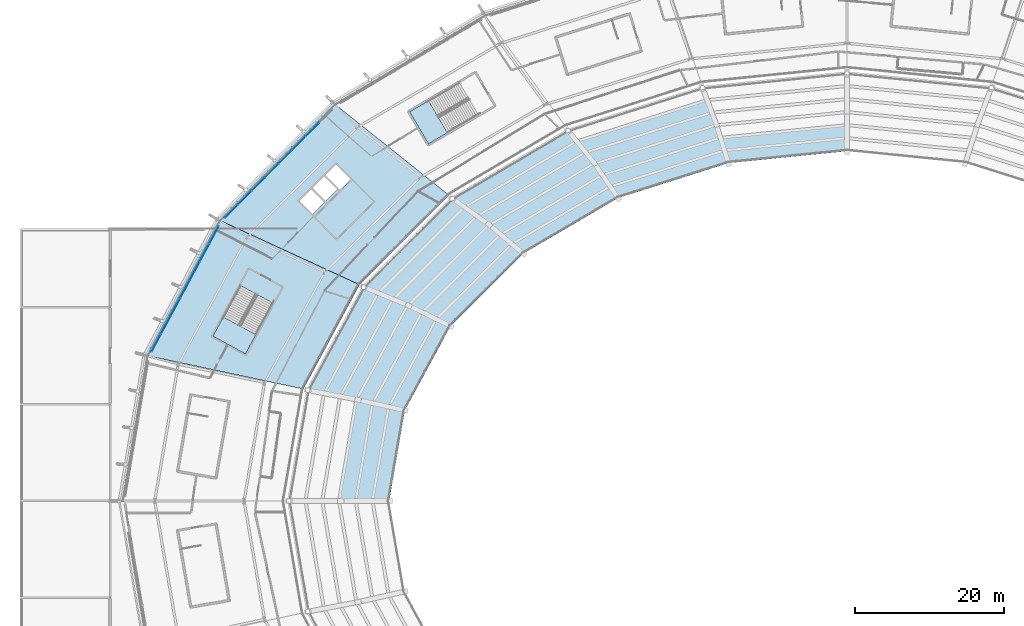
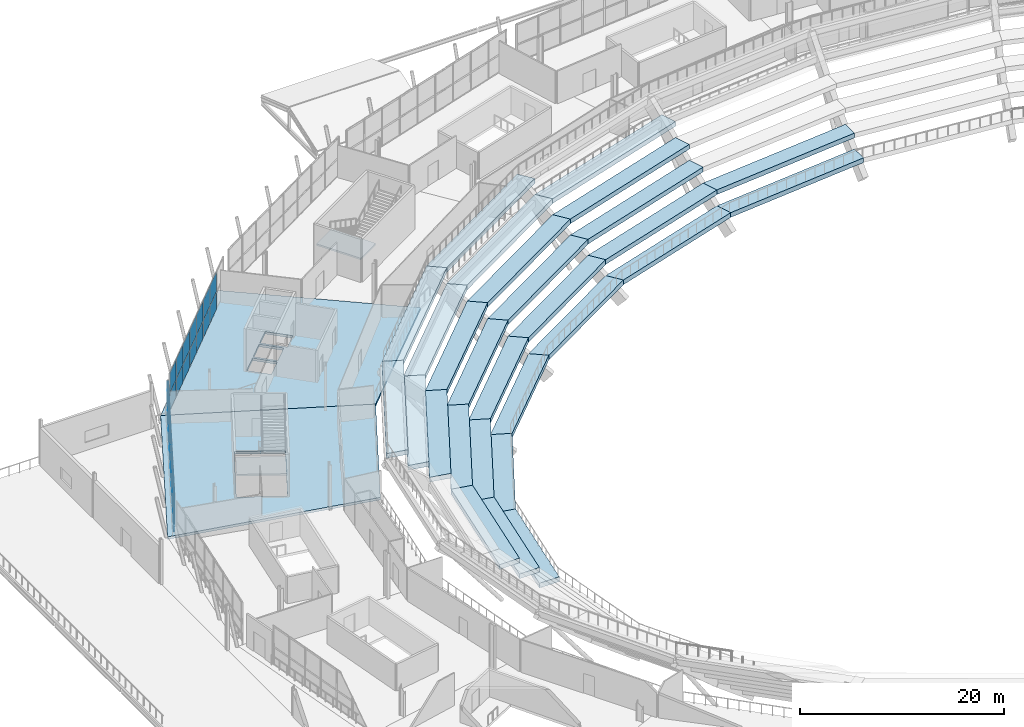
# One storey, part 65 of 126: 32 slabs, 28 plates, 4 elements without a shape of their own.
"""IFC4 building model written with IfcOpenShell, lengths in metres."""

from ifc_helpers import new_model, si_unit, direction, frame, origin, origin_2d, place, context, subcontext, project, spatial, polyline, rectangle, outline, extrude, material, layer, layer_set, type_object, element, aggregate, save


model = new_model("IFC4")

# Units and contexts
model_context = context("Model", 3, precision=1e-05, world=origin(), true_north=direction((0.0, 1.0)))
body_context = subcontext(model_context, "Body", "Model", "MODEL_VIEW")
ifc_project = project(units=[si_unit("LENGTHUNIT", "METRE"), si_unit("AREAUNIT", "SQUARE_METRE"), si_unit("VOLUMEUNIT", "CUBIC_METRE"), si_unit("PLANEANGLEUNIT", "RADIAN"), si_unit("MASSUNIT", "GRAM", prefix="KILO")], contexts=[model_context])

# Site, building, storey
site_placement = place(None, origin())
site = spatial("IfcSite", under=ifc_project, at=site_placement, CompositionType="ELEMENT")
building_placement = place(site_placement, origin())
building = spatial("IfcBuilding", under=site, at=building_placement, Name="Zlatoyarsky Gate Stadium", CompositionType="ELEMENT")
storey_placement = place(building_placement, frame((0.0, 0.0, 20.800048828125)))
storey = spatial("IfcBuildingStorey", under=building, at=storey_placement, Name="L04", CompositionType="ELEMENT", Elevation=20.800048828125)

# Slabs
ifc_material_1 = material(Name="Concrete C40/50", Category="concrete")
ifc_layer_1 = layer(ifc_material_1, 0.300048828125)
ifc_layer_set_1 = layer_set([ifc_layer_1], Name="Concrete C40/50")
slab_type_1 = type_object("IfcSlabType", Name="CONCRETE CONCOURSE SLAB 300", PredefinedType="FLOOR", material=ifc_layer_set_1)
slab_1_placement = place(storey_placement, frame((0.0, 0.0, -0.300048828125)))
element("IfcSlab", 1, at=slab_1_placement, inside=storey, type_object=slab_type_1, Name="L04 bowl sector 09 slab", PredefinedType="FLOOR", context=body_context, shape_type="SweptSolid", body=[
    extrude(outline(polyline([(45.528564453125, 109.050048828125), (26.3291015625, 117.884765625), (41.866455078125, 133.5771484375), (57.542724609375, 121.0830078125), (45.528564453125, 109.050048828125)]), holes=[polyline([(39.02490234375, 121.870849609375), (37.46533203125, 120.319091796875), (39.228759765625, 118.547119140625), (40.7880859375, 120.0986328125), (39.02490234375, 121.870849609375)]), polyline([(40.76171875, 123.598876953125), (39.2021484375, 122.047119140625), (40.965576171875, 120.27490234375), (42.52490234375, 121.82666015625), (40.76171875, 123.598876953125)]), polyline([(42.356689453125, 125.185791015625), (40.93896484375, 123.775146484375), (42.913818359375, 121.790283203125), (44.331787109375, 123.200927734375), (42.356689453125, 125.185791015625)])]), origin(), (0.0, 0.0, 1.0), 0.300048828125),
])
slab_2_placement = place(storey_placement, frame((0.0, 0.0, -0.300048828125)))
element("IfcSlab", 2, at=slab_2_placement, inside=storey, type_object=slab_type_1, Name="L04 bowl sector 10 slab", PredefinedType="FLOOR", context=body_context, shape_type="SweptSolid", body=[
    extrude(outline(polyline([(37.97607421875, 95.037353515625), (16.561767578125, 99.610595703125), (26.3291015625, 117.884765625), (45.528564453125, 109.050048828125), (37.97607421875, 95.037353515625)]), holes=[polyline([(29.4970703125, 108.94580078125), (25.80126953125, 102.1337890625), (30.196044921875, 99.749267578125), (33.891845703125, 106.561279296875), (29.4970703125, 108.94580078125)])]), origin(), (0.0, 0.0, 1.0), 0.300048828125),
])

# Stair, slab
stair_type = type_object("IfcStairType", Name="CONCRETE DOGLEG EXIT STAIR H5400", PredefinedType="TWO_STRAIGHT_RUN_STAIR", material=ifc_material_1)
stair_1_placement = place(storey_placement, origin())
stair_1 = element("IfcStair", 3, at=stair_1_placement, inside=storey, type_object=stair_type, Name="L04 Exit Stair ST-05", PredefinedType="TWO_STRAIGHT_RUN_STAIR")
ifc_layer_2 = layer(ifc_material_1, 0.199951171875)
ifc_layer_set_2 = layer_set([ifc_layer_2], Name="Concrete C40/50")
slab_type_2 = type_object("IfcSlabType", Name="CONCRETE STAIR LANDING SLAB 200", PredefinedType="LANDING", material=ifc_layer_set_2)
slab_3_placement = place(storey_placement, frame((0.0, 0.0, 2.5)))
slab_3 = element("IfcSlab", 4, at=slab_3_placement, type_object=slab_type_2, Name="ST-DG54 landing 1", PredefinedType="LANDING", context=body_context, shape_type="SweptSolid", body=[
    extrude(outline(polyline([(54.792724609375, 133.778076171875), (52.247314453125, 132.287109375), (54.774658203125, 127.972900390625), (57.320068359375, 129.4638671875), (54.792724609375, 133.778076171875)])), origin(), (0.0, 0.0, 1.0), 0.199951171875),
])
aggregate(stair_1, [slab_3])

stair_2_placement = place(storey_placement, origin())
stair_2 = element("IfcStair", 5, at=stair_2_placement, inside=storey, type_object=stair_type, Name="L04 Exit Stair ST-06", PredefinedType="TWO_STRAIGHT_RUN_STAIR")
slab_4_placement = place(storey_placement, frame((0.0, 0.0, 2.5)))
slab_4 = element("IfcSlab", 6, at=slab_4_placement, type_object=slab_type_2, Name="ST-DG54 landing 1", PredefinedType="LANDING", context=body_context, shape_type="SweptSolid", body=[
    extrude(outline(polyline([(27.2080078125, 104.726806640625), (25.80126953125, 102.1337890625), (30.196044921875, 99.749267578125), (31.602783203125, 102.34228515625), (27.2080078125, 104.726806640625)])), origin(), (0.0, 0.0, 1.0), 0.199951171875),
])
aggregate(stair_2, [slab_4])

# Slabs
ifc_material_2 = material(Name="Precast concrete C40/50", Category="concrete")
ifc_layer_3 = layer(ifc_material_2, 0.56005859375)
ifc_layer_set_3 = layer_set([ifc_layer_3], Name="Precast concrete C40/50")
slab_type_3 = type_object("IfcSlabType", Name="PRECAST UPPER SEATING TIER UNIT 560", PredefinedType="USERDEFINED", material=ifc_layer_set_3)
slab_5_placement = place(storey_placement, frame((0.0, 0.0, -4.9599609375)))
element("IfcSlab", 7, at=slab_5_placement, inside=storey, type_object=slab_type_3, Name="Upper seating tier sector 06 row 1", ObjectType="SEATING TIER", PredefinedType="USERDEFINED", context=body_context, shape_type="SweptSolid", body=[
    extrude(outline(polyline([(111.0, 127.0), (111.0, 128.75), (94.500244140625, 127.0888671875), (95.08251953125, 125.3984375), (111.0, 127.0)])), origin(), (0.0, 0.0, 1.0), 0.559814453125),
])
slab_6_placement = place(storey_placement, frame((0.0, 0.0, -3.06005859375)))
element("IfcSlab", 8, at=slab_6_placement, inside=storey, type_object=slab_type_3, Name="Upper seating tier sector 06 row 2", ObjectType="SEATING TIER", PredefinedType="USERDEFINED", context=body_context, shape_type="SweptSolid", body=[
    extrude(outline(polyline([(111.0, 128.75), (111.0, 130.5), (93.91796875, 128.779296875), (94.500244140625, 127.0888671875), (111.0, 128.75)])), origin(), (0.0, 0.0, 1.0), 0.56005859375),
])
slab_7_placement = place(storey_placement, frame((0.0, 0.0, -4.9599609375)))
element("IfcSlab", 9, at=slab_7_placement, inside=storey, type_object=slab_type_3, Name="Upper seating tier sector 07 row 1", ObjectType="SEATING TIER", PredefinedType="USERDEFINED", context=body_context, shape_type="SweptSolid", body=[
    extrude(outline(polyline([(95.08251953125, 125.3984375), (94.500244140625, 127.0888671875), (79.125, 122.21875), (80.25, 120.703125), (95.08251953125, 125.3984375)])), origin(), (0.0, 0.0, 1.0), 0.559814453125),
])
slab_8_placement = place(storey_placement, frame((0.0, 0.0, -3.06005859375)))
element("IfcSlab", 10, at=slab_8_placement, inside=storey, type_object=slab_type_3, Name="Upper seating tier sector 07 row 2", ObjectType="SEATING TIER", PredefinedType="USERDEFINED", context=body_context, shape_type="SweptSolid", body=[
    extrude(outline(polyline([(94.500244140625, 127.0888671875), (93.91796875, 128.779296875), (78.0, 123.734375), (79.125, 122.21875), (94.500244140625, 127.0888671875)])), origin(), (0.0, 0.0, 1.0), 0.56005859375),
])
slab_9_placement = place(storey_placement, frame((0.0, 0.0, -1.16015625)))
element("IfcSlab", 11, at=slab_9_placement, inside=storey, type_object=slab_type_3, Name="Upper seating tier sector 07 row 3", ObjectType="SEATING TIER", PredefinedType="USERDEFINED", context=body_context, shape_type="SweptSolid", body=[
    extrude(outline(polyline([(93.91796875, 128.779296875), (93.335693359375, 130.469482421875), (76.875, 125.249755859375), (78.0, 123.734375), (93.91796875, 128.779296875)])), origin(), (0.0, 0.0, 1.0), 0.56005859375),
])
slab_10_placement = place(storey_placement, frame((0.0, 0.0, 0.739990234375)))
element("IfcSlab", 12, at=slab_10_placement, inside=storey, type_object=slab_type_3, Name="Upper seating tier sector 07 row 4", ObjectType="SEATING TIER", PredefinedType="USERDEFINED", context=body_context, shape_type="SweptSolid", body=[
    extrude(outline(polyline([(93.335693359375, 130.469482421875), (92.75341796875, 132.159912109375), (75.75, 126.765380859375), (76.875, 125.249755859375), (93.335693359375, 130.469482421875)])), origin(), (0.0, 0.0, 1.0), 0.56005859375),
])
slab_11_placement = place(storey_placement, frame((0.0, 0.0, 2.639892578125)))
element("IfcSlab", 13, at=slab_11_placement, inside=storey, type_object=slab_type_3, Name="Upper seating tier sector 07 row 5", ObjectType="SEATING TIER", PredefinedType="USERDEFINED", context=body_context, shape_type="SweptSolid", body=[
    extrude(outline(polyline([(92.75341796875, 132.159912109375), (92.1708984375, 133.850341796875), (74.625, 128.281005859375), (75.75, 126.765380859375), (92.75341796875, 132.159912109375)])), origin(), (0.0, 0.0, 1.0), 0.56005859375),
])
slab_12_placement = place(storey_placement, frame((0.0, 0.0, -4.9599609375)))
element("IfcSlab", 14, at=slab_12_placement, inside=storey, type_object=slab_type_3, Name="Upper seating tier sector 08 row 1", ObjectType="SEATING TIER", PredefinedType="USERDEFINED", context=body_context, shape_type="SweptSolid", body=[
    extrude(outline(polyline([(80.25, 120.703125), (79.125, 122.21875), (65.921875, 114.471435546875), (67.512939453125, 113.23388671875), (80.25, 120.703125)])), origin(), (0.0, 0.0, 1.0), 0.559814453125),
])
slab_13_placement = place(storey_placement, frame((0.0, 0.0, -3.06005859375)))
element("IfcSlab", 15, at=slab_13_placement, inside=storey, type_object=slab_type_3, Name="Upper seating tier sector 08 row 2", ObjectType="SEATING TIER", PredefinedType="USERDEFINED", context=body_context, shape_type="SweptSolid", body=[
    extrude(outline(polyline([(79.125, 122.21875), (78.0, 123.734375), (64.3310546875, 115.708984375), (65.921875, 114.471435546875), (79.125, 122.21875)])), origin(), (0.0, 0.0, 1.0), 0.56005859375),
])
slab_14_placement = place(storey_placement, frame((0.0, 0.0, -1.16015625)))
element("IfcSlab", 16, at=slab_14_placement, inside=storey, type_object=slab_type_3, Name="Upper seating tier sector 08 row 3", ObjectType="SEATING TIER", PredefinedType="USERDEFINED", context=body_context, shape_type="SweptSolid", body=[
    extrude(outline(polyline([(78.0, 123.734375), (76.875, 125.249755859375), (62.739990234375, 116.9462890625), (64.3310546875, 115.708984375), (78.0, 123.734375)])), origin(), (0.0, 0.0, 1.0), 0.56005859375),
])
slab_15_placement = place(storey_placement, frame((0.0, 0.0, 0.739990234375)))
element("IfcSlab", 17, at=slab_15_placement, inside=storey, type_object=slab_type_3, Name="Upper seating tier sector 08 row 4", ObjectType="SEATING TIER", PredefinedType="USERDEFINED", context=body_context, shape_type="SweptSolid", body=[
    extrude(outline(polyline([(76.875, 125.249755859375), (75.75, 126.765380859375), (61.14892578125, 118.183837890625), (62.739990234375, 116.9462890625), (76.875, 125.249755859375)])), origin(), (0.0, 0.0, 1.0), 0.56005859375),
])
slab_16_placement = place(storey_placement, frame((0.0, 0.0, 2.639892578125)))
element("IfcSlab", 18, at=slab_16_placement, inside=storey, type_object=slab_type_3, Name="Upper seating tier sector 08 row 5", ObjectType="SEATING TIER", PredefinedType="USERDEFINED", context=body_context, shape_type="SweptSolid", body=[
    extrude(outline(polyline([(75.75, 126.765380859375), (74.625, 128.281005859375), (59.55810546875, 119.421142578125), (61.14892578125, 118.183837890625), (75.75, 126.765380859375)])), origin(), (0.0, 0.0, 1.0), 0.56005859375),
])
slab_17_placement = place(storey_placement, frame((0.0, 0.0, 4.5400390625)))
element("IfcSlab", 19, at=slab_17_placement, inside=storey, type_object=slab_type_3, Name="Upper seating tier sector 08 row 6", ObjectType="SEATING TIER", PredefinedType="USERDEFINED", context=body_context, shape_type="SweptSolid", body=[
    extrude(outline(polyline([(74.625, 128.281005859375), (73.5, 129.79638671875), (57.967041015625, 120.65869140625), (59.55810546875, 119.421142578125), (74.625, 128.281005859375)])), origin(), (0.0, 0.0, 1.0), 0.559814453125),
])
slab_18_placement = place(storey_placement, frame((0.0, 0.0, -4.9599609375)))
element("IfcSlab", 20, at=slab_18_placement, inside=storey, type_object=slab_type_3, Name="Upper seating tier sector 09 row 1", ObjectType="SEATING TIER", PredefinedType="USERDEFINED", context=body_context, shape_type="SweptSolid", body=[
    extrude(outline(polyline([(67.512939453125, 113.23388671875), (65.921875, 114.471435546875), (55.791015625, 104.375), (57.739501953125, 103.5), (67.512939453125, 113.23388671875)])), origin(), (0.0, 0.0, 1.0), 0.559814453125),
])
slab_19_placement = place(storey_placement, frame((0.0, 0.0, -3.06005859375)))
element("IfcSlab", 21, at=slab_19_placement, inside=storey, type_object=slab_type_3, Name="Upper seating tier sector 09 row 2", ObjectType="SEATING TIER", PredefinedType="USERDEFINED", context=body_context, shape_type="SweptSolid", body=[
    extrude(outline(polyline([(65.921875, 114.471435546875), (64.3310546875, 115.708984375), (53.84228515625, 105.25), (55.791015625, 104.375), (65.921875, 114.471435546875)])), origin(), (0.0, 0.0, 1.0), 0.56005859375),
])
slab_20_placement = place(storey_placement, frame((0.0, 0.0, -1.16015625)))
element("IfcSlab", 22, at=slab_20_placement, inside=storey, type_object=slab_type_3, Name="Upper seating tier sector 09 row 3", ObjectType="SEATING TIER", PredefinedType="USERDEFINED", context=body_context, shape_type="SweptSolid", body=[
    extrude(outline(polyline([(64.3310546875, 115.708984375), (62.739990234375, 116.9462890625), (51.893798828125, 106.125), (53.84228515625, 105.25), (64.3310546875, 115.708984375)])), origin(), (0.0, 0.0, 1.0), 0.56005859375),
])
slab_21_placement = place(storey_placement, frame((0.0, 0.0, 0.739990234375)))
element("IfcSlab", 23, at=slab_21_placement, inside=storey, type_object=slab_type_3, Name="Upper seating tier sector 09 row 4", ObjectType="SEATING TIER", PredefinedType="USERDEFINED", context=body_context, shape_type="SweptSolid", body=[
    extrude(outline(polyline([(62.739990234375, 116.9462890625), (61.14892578125, 118.183837890625), (49.9453125, 107.0), (51.893798828125, 106.125), (62.739990234375, 116.9462890625)])), origin(), (0.0, 0.0, 1.0), 0.56005859375),
])
slab_22_placement = place(storey_placement, frame((0.0, 0.0, 2.639892578125)))
element("IfcSlab", 24, at=slab_22_placement, inside=storey, type_object=slab_type_3, Name="Upper seating tier sector 09 row 5", ObjectType="SEATING TIER", PredefinedType="USERDEFINED", context=body_context, shape_type="SweptSolid", body=[
    extrude(outline(polyline([(61.14892578125, 118.183837890625), (59.55810546875, 119.421142578125), (47.99658203125, 107.875), (49.9453125, 107.0), (61.14892578125, 118.183837890625)])), origin(), (0.0, 0.0, 1.0), 0.56005859375),
])
slab_23_placement = place(storey_placement, frame((0.0, 0.0, 4.5400390625)))
element("IfcSlab", 25, at=slab_23_placement, inside=storey, type_object=slab_type_3, Name="Upper seating tier sector 09 row 6", ObjectType="SEATING TIER", PredefinedType="USERDEFINED", context=body_context, shape_type="SweptSolid", body=[
    extrude(outline(polyline([(59.55810546875, 119.421142578125), (57.967041015625, 120.65869140625), (46.048095703125, 108.75), (47.99658203125, 107.875), (59.55810546875, 119.421142578125)])), origin(), (0.0, 0.0, 1.0), 0.559814453125),
])
slab_24_placement = place(storey_placement, frame((0.0, 0.0, -4.9599609375)))
element("IfcSlab", 26, at=slab_24_placement, inside=storey, type_object=slab_type_3, Name="Upper seating tier sector 10 row 1", ObjectType="SEATING TIER", PredefinedType="USERDEFINED", context=body_context, shape_type="SweptSolid", body=[
    extrude(outline(polyline([(57.739501953125, 103.5), (55.791015625, 104.375), (49.422119140625, 92.617431640625), (51.595703125, 92.16455078125), (57.739501953125, 103.5)])), origin(), (0.0, 0.0, 1.0), 0.559814453125),
])
slab_25_placement = place(storey_placement, frame((0.0, 0.0, -3.06005859375)))
element("IfcSlab", 27, at=slab_25_placement, inside=storey, type_object=slab_type_3, Name="Upper seating tier sector 10 row 2", ObjectType="SEATING TIER", PredefinedType="USERDEFINED", context=body_context, shape_type="SweptSolid", body=[
    extrude(outline(polyline([(55.791015625, 104.375), (53.84228515625, 105.25), (47.248779296875, 93.0703125), (49.422119140625, 92.617431640625), (55.791015625, 104.375)])), origin(), (0.0, 0.0, 1.0), 0.56005859375),
])
slab_26_placement = place(storey_placement, frame((0.0, 0.0, -1.16015625)))
element("IfcSlab", 28, at=slab_26_placement, inside=storey, type_object=slab_type_3, Name="Upper seating tier sector 10 row 3", ObjectType="SEATING TIER", PredefinedType="USERDEFINED", context=body_context, shape_type="SweptSolid", body=[
    extrude(outline(polyline([(53.84228515625, 105.25), (51.893798828125, 106.125), (45.07568359375, 93.523193359375), (47.248779296875, 93.0703125), (53.84228515625, 105.25)])), origin(), (0.0, 0.0, 1.0), 0.56005859375),
])
slab_27_placement = place(storey_placement, frame((0.0, 0.0, 0.739990234375)))
element("IfcSlab", 29, at=slab_27_placement, inside=storey, type_object=slab_type_3, Name="Upper seating tier sector 10 row 4", ObjectType="SEATING TIER", PredefinedType="USERDEFINED", context=body_context, shape_type="SweptSolid", body=[
    extrude(outline(polyline([(51.893798828125, 106.125), (49.9453125, 107.0), (42.902099609375, 93.976318359375), (45.07568359375, 93.523193359375), (51.893798828125, 106.125)])), origin(), (0.0, 0.0, 1.0), 0.56005859375),
])
slab_28_placement = place(storey_placement, frame((0.0, 0.0, 2.639892578125)))
element("IfcSlab", 30, at=slab_28_placement, inside=storey, type_object=slab_type_3, Name="Upper seating tier sector 10 row 5", ObjectType="SEATING TIER", PredefinedType="USERDEFINED", context=body_context, shape_type="SweptSolid", body=[
    extrude(outline(polyline([(49.9453125, 107.0), (47.99658203125, 107.875), (40.72900390625, 94.42919921875), (42.902099609375, 93.976318359375), (49.9453125, 107.0)])), origin(), (0.0, 0.0, 1.0), 0.56005859375),
])
slab_29_placement = place(storey_placement, frame((0.0, 0.0, 4.5400390625)))
element("IfcSlab", 31, at=slab_29_placement, inside=storey, type_object=slab_type_3, Name="Upper seating tier sector 10 row 6", ObjectType="SEATING TIER", PredefinedType="USERDEFINED", context=body_context, shape_type="SweptSolid", body=[
    extrude(outline(polyline([(47.99658203125, 107.875), (46.048095703125, 108.75), (38.5556640625, 94.882080078125), (40.72900390625, 94.42919921875), (47.99658203125, 107.875)])), origin(), (0.0, 0.0, 1.0), 0.559814453125),
])
slab_30_placement = place(storey_placement, frame((0.0, 0.0, -4.9599609375)))
element("IfcSlab", 32, at=slab_30_placement, inside=storey, type_object=slab_type_3, Name="Upper seating tier sector 11 row 1", ObjectType="SEATING TIER", PredefinedType="USERDEFINED", context=body_context, shape_type="SweptSolid", body=[
    extrude(outline(polyline([(51.595703125, 92.16455078125), (49.422119140625, 92.617431640625), (47.25, 80.0), (49.5, 80.0), (51.595703125, 92.16455078125)])), origin(), (0.0, 0.0, 1.0), 0.559814453125),
])
slab_31_placement = place(storey_placement, frame((0.0, 0.0, -3.06005859375)))
element("IfcSlab", 33, at=slab_31_placement, inside=storey, type_object=slab_type_3, Name="Upper seating tier sector 11 row 2", ObjectType="SEATING TIER", PredefinedType="USERDEFINED", context=body_context, shape_type="SweptSolid", body=[
    extrude(outline(polyline([(49.422119140625, 92.617431640625), (47.248779296875, 93.0703125), (45.0, 80.0), (47.25, 80.0), (49.422119140625, 92.617431640625)])), origin(), (0.0, 0.0, 1.0), 0.56005859375),
])
slab_32_placement = place(storey_placement, frame((0.0, 0.0, -1.16015625)))
element("IfcSlab", 34, at=slab_32_placement, inside=storey, type_object=slab_type_3, Name="Upper seating tier sector 11 row 3", ObjectType="SEATING TIER", PredefinedType="USERDEFINED", context=body_context, shape_type="SweptSolid", body=[
    extrude(outline(polyline([(47.248779296875, 93.0703125), (45.07568359375, 93.523193359375), (42.75, 80.0), (45.0, 80.0), (47.248779296875, 93.0703125)])), origin(), (0.0, 0.0, 1.0), 0.56005859375),
])

# Curtain wall, plates
ifc_material_3 = material(Name="Thermally broken anodised aluminium curtain wall", Category="aluminium")
curtain_wall_type = type_object("IfcCurtainWallType", Name="UNITISED MEDIA RING GLAZING L04", PredefinedType="USERDEFINED", material=ifc_material_3)
curtain_wall_1_placement = place(storey_placement, origin())
curtain_wall_1 = element("IfcCurtainWall", 35, at=curtain_wall_1_placement, inside=storey, type_object=curtain_wall_type, Name="Curtain wall CW-L04-09", ObjectType="UNITISED GLAZING", PredefinedType="USERDEFINED")
ifc_material_4 = material(Name="Triple-glazed argon low-e architectural glass", Category="glass")
ifc_layer_4 = layer(ifc_material_4, 0.0380859375)
ifc_layer_set_4 = layer_set([ifc_layer_4], Name="Triple-glazed argon low-e architectural glass")
plate_type = type_object("IfcPlateType", Name="TRIPLE GLAZED LOW E CURTAIN PANEL 38", PredefinedType="CURTAIN_PANEL", material=ifc_layer_set_4)
plate_1_placement = place(storey_placement, frame((39.182861328125, 129.878662109375, 0.06494140625), z_axis=(0.0, 0.0, 1.0), x_axis=(-0.704332181269, -0.709870536386, 0.0)))
plate_1 = element("IfcPlate", 36, at=plate_1_placement, type_object=plate_type, Name="CW-UG4 panel 2.1", PredefinedType="CURTAIN_PANEL", context=body_context, shape_type="SweptSolid", body=[
    extrude(rectangle(XDim=2.51025390625, YDim=0.0380859375, at=origin_2d()), origin(), (0.0, 0.0, 1.0), 2.052490234375),
])
plate_2_placement = place(storey_placement, frame((39.182861328125, 129.878662109375, 2.182373046875), z_axis=(0.0, 0.0, 1.0), x_axis=(-0.704332181269, -0.709870536386, 0.0)))
plate_2 = element("IfcPlate", 37, at=plate_2_placement, type_object=plate_type, Name="CW-UG4 panel 2.2", PredefinedType="CURTAIN_PANEL", context=body_context, shape_type="SweptSolid", body=[
    extrude(rectangle(XDim=2.51025390625, YDim=0.0380859375, at=origin_2d()), origin(), (0.0, 0.0, 1.0), 2.37255859375),
])
plate_3_placement = place(storey_placement, frame((37.369140625, 128.050537109375, 0.06494140625), z_axis=(0.0, 0.0, 1.0), x_axis=(-0.704332181269, -0.709870536386, 0.0)))
plate_3 = element("IfcPlate", 38, at=plate_3_placement, type_object=plate_type, Name="CW-UG4 panel 3.1", PredefinedType="CURTAIN_PANEL", context=body_context, shape_type="SweptSolid", body=[
    extrude(rectangle(XDim=2.51025390625, YDim=0.0380859375, at=origin_2d()), origin(), (0.0, 0.0, 1.0), 2.052490234375),
])
plate_4_placement = place(storey_placement, frame((37.369140625, 128.050537109375, 2.182373046875), z_axis=(0.0, 0.0, 1.0), x_axis=(-0.704332181269, -0.709870536386, 0.0)))
plate_4 = element("IfcPlate", 39, at=plate_4_placement, type_object=plate_type, Name="CW-UG4 panel 3.2", PredefinedType="CURTAIN_PANEL", context=body_context, shape_type="SweptSolid", body=[
    extrude(rectangle(XDim=2.51025390625, YDim=0.0380859375, at=origin_2d()), origin(), (0.0, 0.0, 1.0), 2.37255859375),
])
plate_5_placement = place(storey_placement, frame((35.55517578125, 126.22265625, 0.06494140625), z_axis=(0.0, 0.0, 1.0), x_axis=(-0.704332181269, -0.709870536386, 0.0)))
plate_5 = element("IfcPlate", 40, at=plate_5_placement, type_object=plate_type, Name="CW-UG4 panel 4.1", PredefinedType="CURTAIN_PANEL", context=body_context, shape_type="SweptSolid", body=[
    extrude(rectangle(XDim=2.51025390625, YDim=0.0380859375, at=origin_2d()), origin(), (0.0, 0.0, 1.0), 2.052490234375),
])
plate_6_placement = place(storey_placement, frame((35.55517578125, 126.22265625, 2.182373046875), z_axis=(0.0, 0.0, 1.0), x_axis=(-0.704332181269, -0.709870536386, 0.0)))
plate_6 = element("IfcPlate", 41, at=plate_6_placement, type_object=plate_type, Name="CW-UG4 panel 4.2", PredefinedType="CURTAIN_PANEL", context=body_context, shape_type="SweptSolid", body=[
    extrude(rectangle(XDim=2.51025390625, YDim=0.0380859375, at=origin_2d()), origin(), (0.0, 0.0, 1.0), 2.37255859375),
])
plate_7_placement = place(storey_placement, frame((33.741455078125, 124.39453125, 0.06494140625), z_axis=(0.0, 0.0, 1.0), x_axis=(-0.704332181269, -0.709870536386, 0.0)))
plate_7 = element("IfcPlate", 42, at=plate_7_placement, type_object=plate_type, Name="CW-UG4 panel 5.1", PredefinedType="CURTAIN_PANEL", context=body_context, shape_type="SweptSolid", body=[
    extrude(rectangle(XDim=2.51025390625, YDim=0.0380859375, at=origin_2d()), origin(), (0.0, 0.0, 1.0), 2.052490234375),
])
plate_8_placement = place(storey_placement, frame((33.741455078125, 124.39453125, 2.182373046875), z_axis=(0.0, 0.0, 1.0), x_axis=(-0.704332181269, -0.709870536386, 0.0)))
plate_8 = element("IfcPlate", 43, at=plate_8_placement, type_object=plate_type, Name="CW-UG4 panel 5.2", PredefinedType="CURTAIN_PANEL", context=body_context, shape_type="SweptSolid", body=[
    extrude(rectangle(XDim=2.51025390625, YDim=0.0380859375, at=origin_2d()), origin(), (0.0, 0.0, 1.0), 2.37255859375),
])
plate_9_placement = place(storey_placement, frame((31.927734375, 122.56640625, 0.06494140625), z_axis=(0.0, 0.0, 1.0), x_axis=(-0.704332181269, -0.709870536386, 0.0)))
plate_9 = element("IfcPlate", 44, at=plate_9_placement, type_object=plate_type, Name="CW-UG4 panel 6.1", PredefinedType="CURTAIN_PANEL", context=body_context, shape_type="SweptSolid", body=[
    extrude(rectangle(XDim=2.51025390625, YDim=0.0380859375, at=origin_2d()), origin(), (0.0, 0.0, 1.0), 2.052490234375),
])
plate_10_placement = place(storey_placement, frame((31.927734375, 122.56640625, 2.182373046875), z_axis=(0.0, 0.0, 1.0), x_axis=(-0.704332181269, -0.709870536386, 0.0)))
plate_10 = element("IfcPlate", 45, at=plate_10_placement, type_object=plate_type, Name="CW-UG4 panel 6.2", PredefinedType="CURTAIN_PANEL", context=body_context, shape_type="SweptSolid", body=[
    extrude(rectangle(XDim=2.51025390625, YDim=0.0380859375, at=origin_2d()), origin(), (0.0, 0.0, 1.0), 2.37255859375),
])
plate_11_placement = place(storey_placement, frame((30.11376953125, 120.73828125, 0.06494140625), z_axis=(0.0, 0.0, 1.0), x_axis=(-0.704332181269, -0.709870536386, 0.0)))
plate_11 = element("IfcPlate", 46, at=plate_11_placement, type_object=plate_type, Name="CW-UG4 panel 7.1", PredefinedType="CURTAIN_PANEL", context=body_context, shape_type="SweptSolid", body=[
    extrude(rectangle(XDim=2.51025390625, YDim=0.0380859375, at=origin_2d()), origin(), (0.0, 0.0, 1.0), 2.052490234375),
])
plate_12_placement = place(storey_placement, frame((30.11376953125, 120.73828125, 2.182373046875), z_axis=(0.0, 0.0, 1.0), x_axis=(-0.704332181269, -0.709870536386, 0.0)))
plate_12 = element("IfcPlate", 47, at=plate_12_placement, type_object=plate_type, Name="CW-UG4 panel 7.2", PredefinedType="CURTAIN_PANEL", context=body_context, shape_type="SweptSolid", body=[
    extrude(rectangle(XDim=2.51025390625, YDim=0.0380859375, at=origin_2d()), origin(), (0.0, 0.0, 1.0), 2.37255859375),
])
plate_13_placement = place(storey_placement, frame((28.3115234375, 118.921875, 0.06494140625), z_axis=(0.0, 0.0, 1.0), x_axis=(-0.704332181269, -0.709870536386, 0.0)))
plate_13 = element("IfcPlate", 48, at=plate_13_placement, type_object=plate_type, Name="CW-UG4 panel 8.1", PredefinedType="CURTAIN_PANEL", context=body_context, shape_type="SweptSolid", body=[
    extrude(rectangle(XDim=2.477783203125, YDim=0.0380859375, at=origin_2d()), origin(), (0.0, 0.0, 1.0), 2.052490234375),
])
plate_14_placement = place(storey_placement, frame((28.3115234375, 118.921875, 2.182373046875), z_axis=(0.0, 0.0, 1.0), x_axis=(-0.704332181269, -0.709870536386, 0.0)))
plate_14 = element("IfcPlate", 49, at=plate_14_placement, type_object=plate_type, Name="CW-UG4 panel 8.2", PredefinedType="CURTAIN_PANEL", context=body_context, shape_type="SweptSolid", body=[
    extrude(rectangle(XDim=2.477783203125, YDim=0.0380859375, at=origin_2d()), origin(), (0.0, 0.0, 1.0), 2.37255859375),
])
aggregate(curtain_wall_1, [plate_1, plate_2, plate_3, plate_4, plate_5, plate_6, plate_7, plate_8, plate_9, plate_10, plate_11, plate_12, plate_13, plate_14])

curtain_wall_2_placement = place(storey_placement, origin())
curtain_wall_2 = element("IfcCurtainWall", 50, at=curtain_wall_2_placement, inside=storey, type_object=curtain_wall_type, Name="Curtain wall CW-L04-10", ObjectType="UNITISED GLAZING", PredefinedType="USERDEFINED")
plate_15_placement = place(storey_placement, frame((25.971923828125, 115.736083984375, 0.06494140625), z_axis=(0.0, 0.0, 1.0), x_axis=(-0.472144962966, -0.881520920878, 0.0)))
plate_15 = element("IfcPlate", 51, at=plate_15_placement, type_object=plate_type, Name="CW-UG4 panel 1.1", PredefinedType="CURTAIN_PANEL", context=body_context, shape_type="SweptSolid", body=[
    extrude(rectangle(XDim=2.65087890625, YDim=0.0380859375, at=origin_2d()), origin(), (0.0, 0.0, 1.0), 2.052490234375),
])
plate_16_placement = place(storey_placement, frame((25.971923828125, 115.736083984375, 2.182373046875), z_axis=(0.0, 0.0, 1.0), x_axis=(-0.472144962966, -0.881520920878, 0.0)))
plate_16 = element("IfcPlate", 52, at=plate_16_placement, type_object=plate_type, Name="CW-UG4 panel 1.2", PredefinedType="CURTAIN_PANEL", context=body_context, shape_type="SweptSolid", body=[
    extrude(rectangle(XDim=2.65087890625, YDim=0.0380859375, at=origin_2d()), origin(), (0.0, 0.0, 1.0), 2.37255859375),
])
plate_17_placement = place(storey_placement, frame((24.681884765625, 113.32763671875, 0.06494140625), z_axis=(0.0, 0.0, 1.0), x_axis=(-0.472144962966, -0.881520920878, 0.0)))
plate_17 = element("IfcPlate", 53, at=plate_17_placement, type_object=plate_type, Name="CW-UG4 panel 2.1", PredefinedType="CURTAIN_PANEL", context=body_context, shape_type="SweptSolid", body=[
    extrude(rectangle(XDim=2.683349609375, YDim=0.0380859375, at=origin_2d()), origin(), (0.0, 0.0, 1.0), 2.052490234375),
])
plate_18_placement = place(storey_placement, frame((24.681884765625, 113.32763671875, 2.182373046875), z_axis=(0.0, 0.0, 1.0), x_axis=(-0.472144962966, -0.881520920878, 0.0)))
plate_18 = element("IfcPlate", 54, at=plate_18_placement, type_object=plate_type, Name="CW-UG4 panel 2.2", PredefinedType="CURTAIN_PANEL", context=body_context, shape_type="SweptSolid", body=[
    extrude(rectangle(XDim=2.683349609375, YDim=0.0380859375, at=origin_2d()), origin(), (0.0, 0.0, 1.0), 2.37255859375),
])
plate_19_placement = place(storey_placement, frame((23.38427734375, 110.90478515625, 0.06494140625), z_axis=(0.0, 0.0, 1.0), x_axis=(-0.472144962966, -0.881520920878, 0.0)))
plate_19 = element("IfcPlate", 55, at=plate_19_placement, type_object=plate_type, Name="CW-UG4 panel 3.1", PredefinedType="CURTAIN_PANEL", context=body_context, shape_type="SweptSolid", body=[
    extrude(rectangle(XDim=2.683349609375, YDim=0.0380859375, at=origin_2d()), origin(), (0.0, 0.0, 1.0), 2.052490234375),
])
plate_20_placement = place(storey_placement, frame((23.38427734375, 110.90478515625, 2.182373046875), z_axis=(0.0, 0.0, 1.0), x_axis=(-0.472144962966, -0.881520920878, 0.0)))
plate_20 = element("IfcPlate", 56, at=plate_20_placement, type_object=plate_type, Name="CW-UG4 panel 3.2", PredefinedType="CURTAIN_PANEL", context=body_context, shape_type="SweptSolid", body=[
    extrude(rectangle(XDim=2.683349609375, YDim=0.0380859375, at=origin_2d()), origin(), (0.0, 0.0, 1.0), 2.37255859375),
])
plate_21_placement = place(storey_placement, frame((22.086669921875, 108.482177734375, 0.06494140625), z_axis=(0.0, 0.0, 1.0), x_axis=(-0.472144962966, -0.881520920878, 0.0)))
plate_21 = element("IfcPlate", 57, at=plate_21_placement, type_object=plate_type, Name="CW-UG4 panel 4.1", PredefinedType="CURTAIN_PANEL", context=body_context, shape_type="SweptSolid", body=[
    extrude(rectangle(XDim=2.683349609375, YDim=0.0380859375, at=origin_2d()), origin(), (0.0, 0.0, 1.0), 2.052490234375),
])
plate_22_placement = place(storey_placement, frame((22.086669921875, 108.482177734375, 2.182373046875), z_axis=(0.0, 0.0, 1.0), x_axis=(-0.472144962966, -0.881520920878, 0.0)))
plate_22 = element("IfcPlate", 58, at=plate_22_placement, type_object=plate_type, Name="CW-UG4 panel 4.2", PredefinedType="CURTAIN_PANEL", context=body_context, shape_type="SweptSolid", body=[
    extrude(rectangle(XDim=2.683349609375, YDim=0.0380859375, at=origin_2d()), origin(), (0.0, 0.0, 1.0), 2.37255859375),
])
plate_23_placement = place(storey_placement, frame((20.7890625, 106.059326171875, 0.06494140625), z_axis=(0.0, 0.0, 1.0), x_axis=(-0.472144962966, -0.881520920878, 0.0)))
plate_23 = element("IfcPlate", 59, at=plate_23_placement, type_object=plate_type, Name="CW-UG4 panel 5.1", PredefinedType="CURTAIN_PANEL", context=body_context, shape_type="SweptSolid", body=[
    extrude(rectangle(XDim=2.683349609375, YDim=0.0380859375, at=origin_2d()), origin(), (0.0, 0.0, 1.0), 2.052490234375),
])
plate_24_placement = place(storey_placement, frame((20.7890625, 106.059326171875, 2.182373046875), z_axis=(0.0, 0.0, 1.0), x_axis=(-0.472144962966, -0.881520920878, 0.0)))
plate_24 = element("IfcPlate", 60, at=plate_24_placement, type_object=plate_type, Name="CW-UG4 panel 5.2", PredefinedType="CURTAIN_PANEL", context=body_context, shape_type="SweptSolid", body=[
    extrude(rectangle(XDim=2.683349609375, YDim=0.0380859375, at=origin_2d()), origin(), (0.0, 0.0, 1.0), 2.37255859375),
])
plate_25_placement = place(storey_placement, frame((19.491455078125, 103.636474609375, 0.06494140625), z_axis=(0.0, 0.0, 1.0), x_axis=(-0.472144962966, -0.881520920878, 0.0)))
plate_25 = element("IfcPlate", 61, at=plate_25_placement, type_object=plate_type, Name="CW-UG4 panel 6.1", PredefinedType="CURTAIN_PANEL", context=body_context, shape_type="SweptSolid", body=[
    extrude(rectangle(XDim=2.683349609375, YDim=0.0380859375, at=origin_2d()), origin(), (0.0, 0.0, 1.0), 2.052490234375),
])
plate_26_placement = place(storey_placement, frame((19.491455078125, 103.636474609375, 2.182373046875), z_axis=(0.0, 0.0, 1.0), x_axis=(-0.472144962966, -0.881520920878, 0.0)))
plate_26 = element("IfcPlate", 62, at=plate_26_placement, type_object=plate_type, Name="CW-UG4 panel 6.2", PredefinedType="CURTAIN_PANEL", context=body_context, shape_type="SweptSolid", body=[
    extrude(rectangle(XDim=2.683349609375, YDim=0.0380859375, at=origin_2d()), origin(), (0.0, 0.0, 1.0), 2.37255859375),
])
plate_27_placement = place(storey_placement, frame((18.201416015625, 101.22802734375, 0.06494140625), z_axis=(0.0, 0.0, 1.0), x_axis=(-0.472144962966, -0.881520920878, 0.0)))
plate_27 = element("IfcPlate", 63, at=plate_27_placement, type_object=plate_type, Name="CW-UG4 panel 7.1", PredefinedType="CURTAIN_PANEL", context=body_context, shape_type="SweptSolid", body=[
    extrude(rectangle(XDim=2.65087890625, YDim=0.0380859375, at=origin_2d()), origin(), (0.0, 0.0, 1.0), 2.052490234375),
])
plate_28_placement = place(storey_placement, frame((18.201416015625, 101.22802734375, 2.182373046875), z_axis=(0.0, 0.0, 1.0), x_axis=(-0.472144962966, -0.881520920878, 0.0)))
plate_28 = element("IfcPlate", 64, at=plate_28_placement, type_object=plate_type, Name="CW-UG4 panel 7.2", PredefinedType="CURTAIN_PANEL", context=body_context, shape_type="SweptSolid", body=[
    extrude(rectangle(XDim=2.65087890625, YDim=0.0380859375, at=origin_2d()), origin(), (0.0, 0.0, 1.0), 2.37255859375),
])
aggregate(curtain_wall_2, [plate_15, plate_16, plate_17, plate_18, plate_19, plate_20, plate_21, plate_22, plate_23, plate_24, plate_25, plate_26, plate_27, plate_28])

save(model, "model.ifc")
